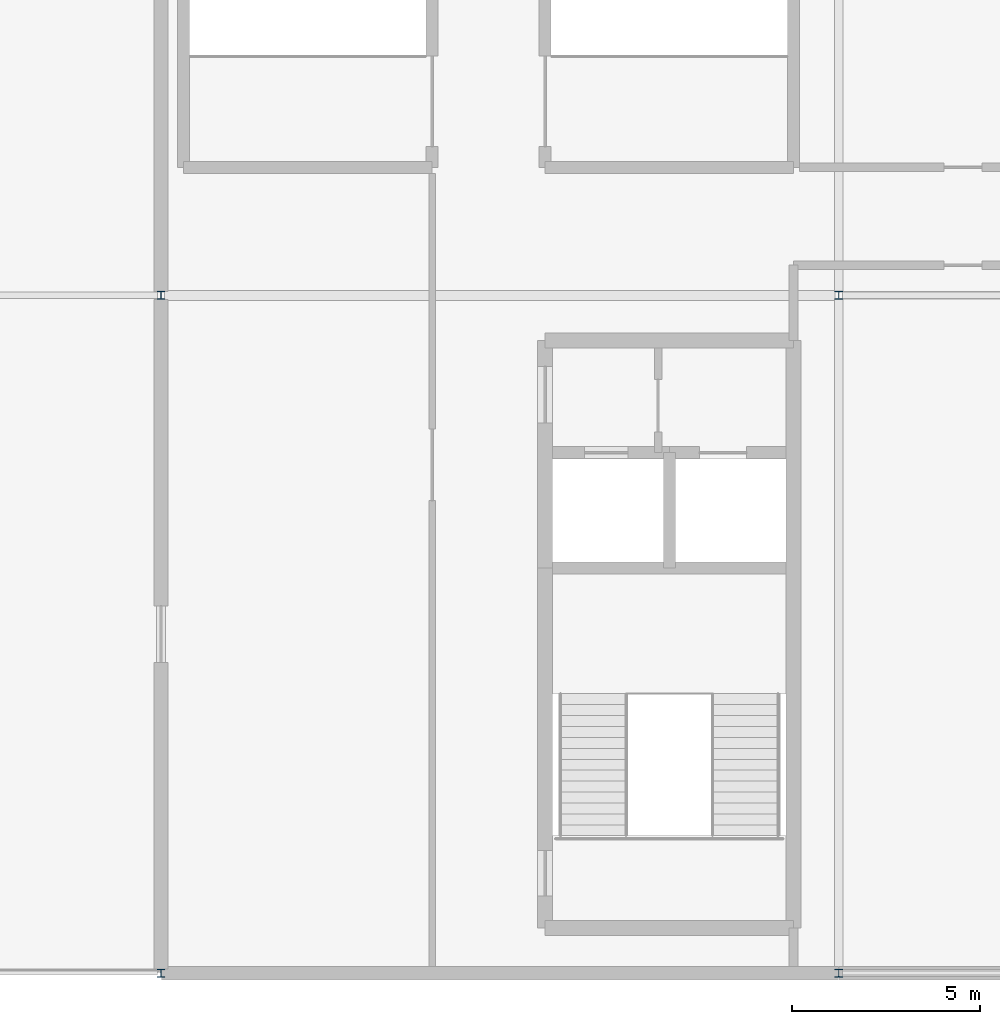
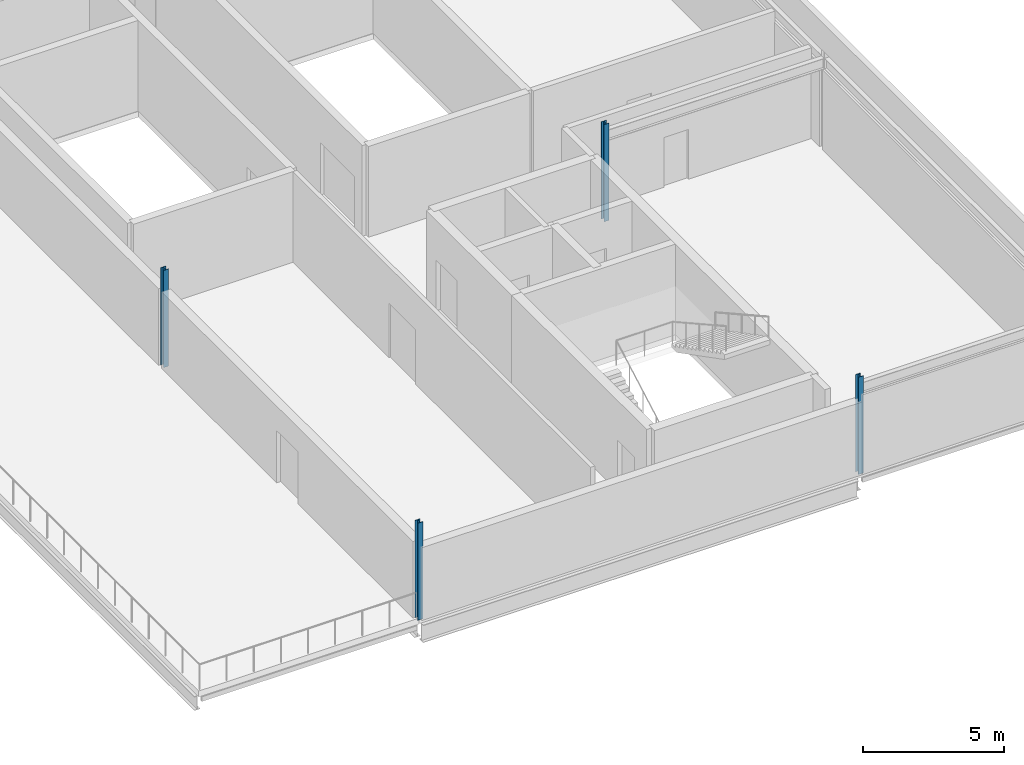
# One storey, part 6 of 23: 4 columns.
"""IFC4 building model written with IfcOpenShell, lengths in metres."""

from ifc_helpers import new_model, si_unit, direction, frame, origin, origin_2d, place, context, subcontext, project, spatial, i_section, extrude, material, material_profile, profile_set, type_object, element, save


model = new_model("IFC4")

# Units and contexts
model_context = context("Model", 3, precision=1e-05, world=origin(), true_north=direction((0.0, 1.0)))
body_context = subcontext(model_context, "Body", "Model", "MODEL_VIEW")
ifc_project = project(units=[si_unit("LENGTHUNIT", "METRE"), si_unit("AREAUNIT", "SQUARE_METRE"), si_unit("VOLUMEUNIT", "CUBIC_METRE"), si_unit("PLANEANGLEUNIT", "RADIAN"), si_unit("MASSUNIT", "GRAM", prefix="KILO")], contexts=[model_context])

# Site, building, storey
site_placement = place(None, origin())
site = spatial("IfcSite", under=ifc_project, at=site_placement, CompositionType="ELEMENT")
building_placement = place(site_placement, origin())
building = spatial("IfcBuilding", under=site, at=building_placement, Name="Kisiwana Market Hall", CompositionType="ELEMENT")
storey_placement = place(building_placement, frame((0.0, 0.0, 65.699951171875)))
storey = spatial("IfcBuildingStorey", under=building, at=storey_placement, Name="L15", CompositionType="ELEMENT", Elevation=65.699951171875)

# Columns
ifc_material = material(Name="Steel S355", Category="steel")
ifc_material_profile = material_profile(ifc_material, i_section(OverallWidth=0.205810546875, OverallDepth=0.209716796875, WebThickness=0.009521484375, FlangeThickness=0.01416015625, FilletRadius=0.01025390625, at=origin_2d()), Name="UC 203x203x60")
ifc_profile_set = profile_set([ifc_material_profile], Name="Steel S355")
column_type = type_object("IfcColumnType", Name="COL-STL-UC060", PredefinedType="COLUMN", material=ifc_profile_set)
for number, where, z_axis, x_axis, name in (
    (1, (171.0, 18.0, 0.0), (0.0, 0.0, 1.0), (1.0, 0.0, 0.0), "Column C/20 (L15) C-1494"),
    (2, (171.0, 36.0, 0.0), (0.0, 0.0, 1.0), (1.0, 0.0, 0.0), "Column E/20 (L15) C-1495"),
    (3, (189.0, 18.0, 0.0), (0.0, 0.0, 1.0), (1.0, 0.0, 0.0), "Column C/22 (L15) C-1499"),
    (4, (189.0, 36.0, 0.0), (0.0, 0.0, 1.0), (1.0, 0.0, 0.0), "Column E/22 (L15) C-1500"),
):
    element("IfcColumn", number, at=place(storey_placement, frame(where, z_axis=z_axis, x_axis=x_axis)), inside=storey, type_object=column_type, Name=name, PredefinedType="COLUMN", context=body_context, shape_type="SweptSolid", body=[
        extrude(i_section(OverallWidth=0.205810546875, OverallDepth=0.209716796875, WebThickness=0.009521484375, FlangeThickness=0.01416015625, FilletRadius=0.01025390625, at=origin_2d()), origin(), (0.0, 0.0, 1.0), 4.199951171875),
    ])

save(model, "model.ifc")
